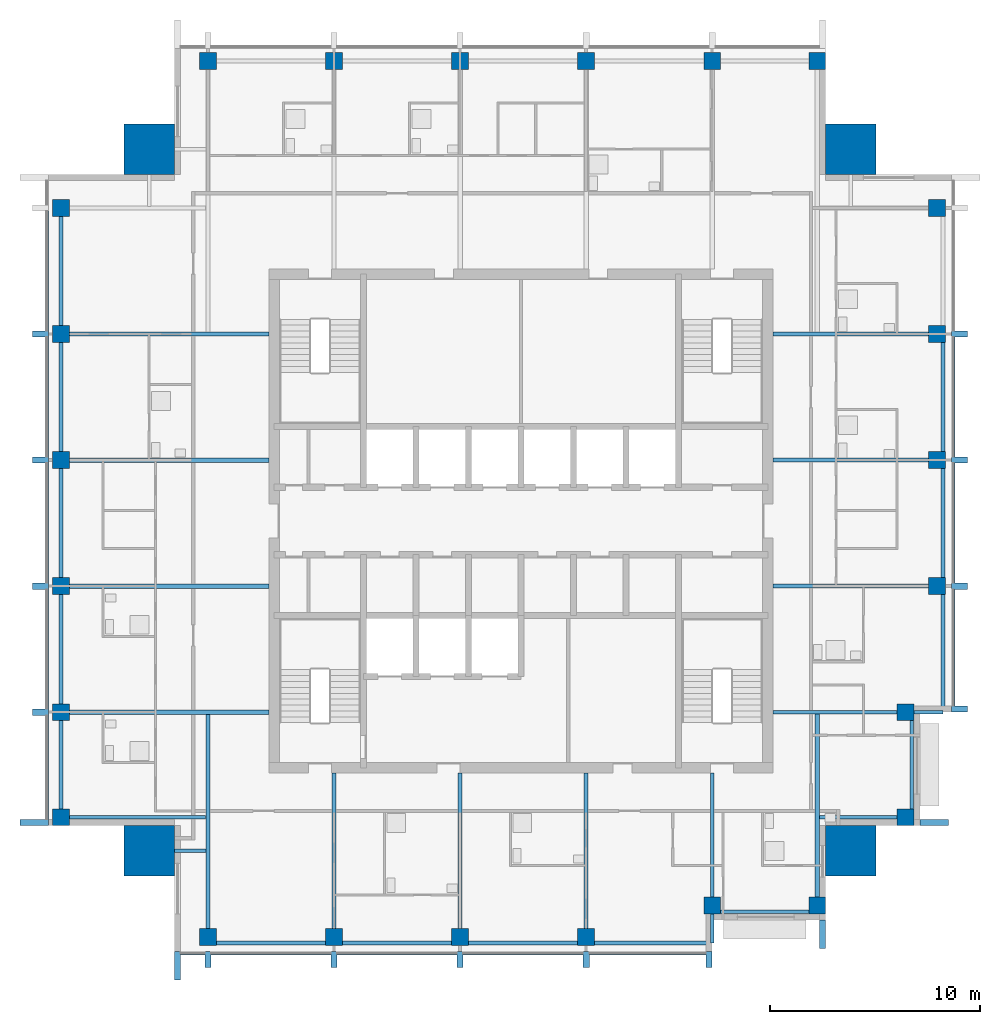
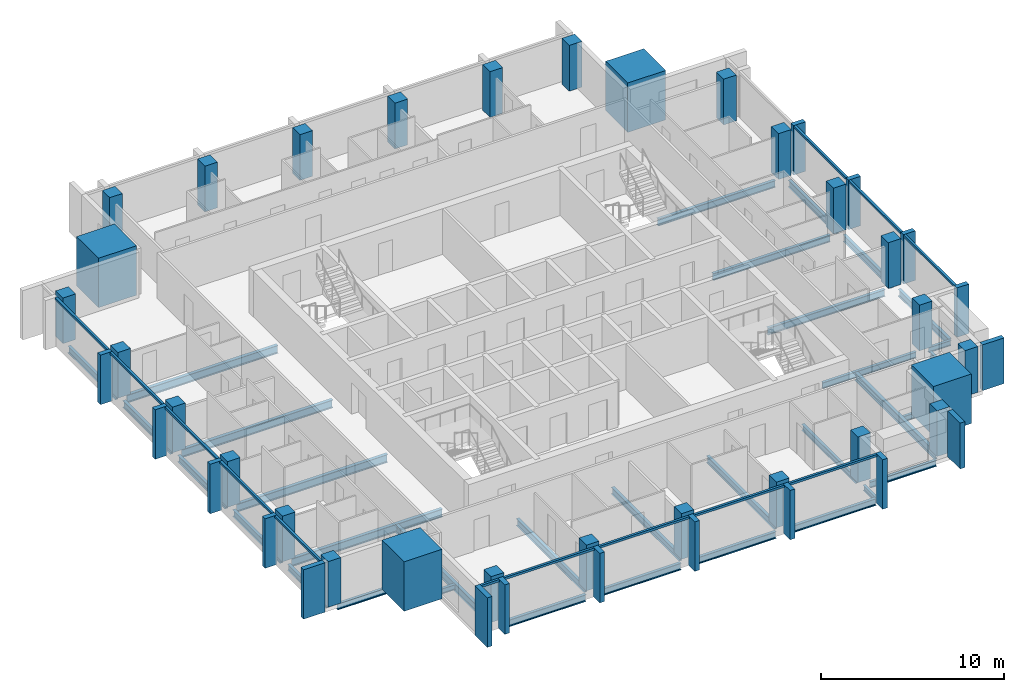
# One storey, part 1 of 10: 33 beams, 30 members, 28 columns, 3 elements without a shape of their own.
"""IFC4 building model written with IfcOpenShell, lengths in metres."""

from ifc_helpers import new_model, si_unit, direction, frame, origin, origin_2d, place, context, subcontext, project, spatial, rectangle, i_section, extrude, material, material_profile, profile_set, type_object, element, aggregate, save


model = new_model("IFC4")

# Units and contexts
model_context = context("Model", 3, precision=1e-05, world=origin(), true_north=direction((0.0, 1.0)))
body_context = subcontext(model_context, "Body", "Model", "MODEL_VIEW")
ifc_project = project(units=[si_unit("LENGTHUNIT", "METRE"), si_unit("AREAUNIT", "SQUARE_METRE"), si_unit("VOLUMEUNIT", "CUBIC_METRE"), si_unit("PLANEANGLEUNIT", "RADIAN"), si_unit("MASSUNIT", "GRAM", prefix="KILO")], contexts=[model_context])

# Site, building, storey
site_placement = place(None, origin())
site = spatial("IfcSite", under=ifc_project, at=site_placement, CompositionType="ELEMENT")
building_placement = place(site_placement, origin())
building = spatial("IfcBuilding", under=site, at=building_placement, Name="Amberfall Residences", CompositionType="ELEMENT")
storey_placement = place(building_placement, frame((0.0, 0.0, 275.199951171875)))
storey = spatial("IfcBuildingStorey", under=building, at=storey_placement, Name="L74", CompositionType="ELEMENT", Elevation=275.199951171875)

# Columns
ifc_material_1 = material(Name="Concrete C50", Category="concrete")
ifc_material_profile_1 = material_profile(ifc_material_1, rectangle(XDim=0.800048828125, YDim=0.800048828125, at=origin_2d()), Name="Column 800 x 800 C50")
ifc_profile_set_1 = profile_set([ifc_material_profile_1], Name="Concrete C50")
column_type_1 = type_object("IfcColumnType", Name="Column 800 x 800 C50", PredefinedType="COLUMN", material=ifc_profile_set_1)
for number, where, z_axis, x_axis, name in (
    (1, (59.60009765625, 25.699951171875, 0.0), (0.0, 0.0, 1.0), (1.0, 0.0, 0.0), "Column C5 L74 S1"),
    (2, (65.60009765625, 25.699951171875, 0.0), (0.0, 0.0, 1.0), (1.0, 0.0, 0.0), "Column C5 L74 S2"),
    (3, (71.60009765625, 25.699951171875, 0.0), (0.0, 0.0, 1.0), (1.0, 0.0, 0.0), "Column C5 L74 S3"),
    (4, (77.60009765625, 25.699951171875, 0.0), (0.0, 0.0, 1.0), (1.0, 0.0, 0.0), "Column C5 L74 S4"),
    (5, (83.60009765625, 27.199951171875, 0.0), (0.0, 0.0, 1.0), (1.0, 0.0, 0.0), "Column C5 L74 S5"),
    (6, (88.60009765625, 27.199951171875, 0.0), (0.0, 0.0, 1.0), (1.0, 0.0, 0.0), "Column C5 L74 S6"),
    (7, (92.800048828125, 31.39990234375, 0.0), (0.0, 0.0, 1.0), (1.0, 0.0, 0.0), "Column C5 L74 E1"),
    (8, (92.800048828125, 36.39990234375, 0.0), (0.0, 0.0, 1.0), (1.0, 0.0, 0.0), "Column C5 L74 E2"),
    (9, (94.300048828125, 42.39990234375, 0.0), (0.0, 0.0, 1.0), (1.0, 0.0, 0.0), "Column C5 L74 E3"),
    (10, (94.300048828125, 48.39990234375, 0.0), (0.0, 0.0, 1.0), (1.0, 0.0, 0.0), "Column C5 L74 E4"),
    (11, (94.300048828125, 54.39990234375, 0.0), (0.0, 0.0, 1.0), (1.0, 0.0, 0.0), "Column C5 L74 E5"),
    (12, (94.300048828125, 60.39990234375, 0.0), (0.0, 0.0, 1.0), (1.0, 0.0, 0.0), "Column C5 L74 E6"),
    (13, (59.60009765625, 67.39990234375, 0.0), (0.0, 0.0, 1.0), (1.0, 0.0, 0.0), "Column C5 L74 N1"),
    (14, (65.60009765625, 67.39990234375, 0.0), (0.0, 0.0, 1.0), (1.0, 0.0, 0.0), "Column C5 L74 N2"),
    (15, (71.60009765625, 67.39990234375, 0.0), (0.0, 0.0, 1.0), (1.0, 0.0, 0.0), "Column C5 L74 N3"),
    (16, (77.60009765625, 67.39990234375, 0.0), (0.0, 0.0, 1.0), (1.0, 0.0, 0.0), "Column C5 L74 N4"),
    (17, (83.60009765625, 67.39990234375, 0.0), (0.0, 0.0, 1.0), (1.0, 0.0, 0.0), "Column C5 L74 N5"),
    (18, (88.60009765625, 67.39990234375, 0.0), (0.0, 0.0, 1.0), (1.0, 0.0, 0.0), "Column C5 L74 N6"),
    (19, (52.60009765625, 31.39990234375, 0.0), (0.0, 0.0, 1.0), (1.0, 0.0, 0.0), "Column C5 L74 W1"),
    (20, (52.60009765625, 36.39990234375, 0.0), (0.0, 0.0, 1.0), (1.0, 0.0, 0.0), "Column C5 L74 W2"),
    (21, (52.60009765625, 42.39990234375, 0.0), (0.0, 0.0, 1.0), (1.0, 0.0, 0.0), "Column C5 L74 W3"),
    (22, (52.60009765625, 48.39990234375, 0.0), (0.0, 0.0, 1.0), (1.0, 0.0, 0.0), "Column C5 L74 W4"),
    (23, (52.60009765625, 54.39990234375, 0.0), (0.0, 0.0, 1.0), (1.0, 0.0, 0.0), "Column C5 L74 W5"),
    (24, (52.60009765625, 60.39990234375, 0.0), (0.0, 0.0, 1.0), (1.0, 0.0, 0.0), "Column C5 L74 W6"),
):
    element("IfcColumn", number, at=place(storey_placement, frame(where, z_axis=z_axis, x_axis=x_axis)), inside=storey, type_object=column_type_1, Name=name, PredefinedType="COLUMN", context=body_context, shape_type="SweptSolid", body=[
        extrude(rectangle(XDim=0.800048828125, YDim=0.800048828125, at=origin_2d()), origin(), (0.0, 0.0, 1.0), 3.050048828125),
    ])
ifc_material_profile_2 = material_profile(ifc_material_1, rectangle(XDim=2.39990234375, YDim=2.39990234375, at=origin_2d()), Name="Mega column 2400 x 2400 C50")
ifc_profile_set_2 = profile_set([ifc_material_profile_2], Name="Concrete C50")
column_type_2 = type_object("IfcColumnType", Name="Mega column 2400 x 2400 C50", PredefinedType="COLUMN", material=ifc_profile_set_2)
for number, where, z_axis, x_axis, name in (
    (25, (56.800048828125, 29.800048828125, 0.0), (0.0, 0.0, 1.0), (1.0, 0.0, 0.0), "Mega column MC11 L74 SW"),
    (26, (90.199951171875, 29.800048828125, 0.0), (0.0, 0.0, 1.0), (1.0, 0.0, 0.0), "Mega column MC11 L74 SE"),
    (27, (90.199951171875, 63.199951171875, 0.0), (0.0, 0.0, 1.0), (1.0, 0.0, 0.0), "Mega column MC11 L74 NE"),
    (28, (56.800048828125, 63.199951171875, 0.0), (0.0, 0.0, 1.0), (1.0, 0.0, 0.0), "Mega column MC11 L74 NW"),
):
    element("IfcColumn", number, at=place(storey_placement, frame(where, z_axis=z_axis, x_axis=x_axis)), inside=storey, type_object=column_type_2, Name=name, PredefinedType="COLUMN", context=body_context, shape_type="SweptSolid", body=[
        extrude(rectangle(XDim=2.39990234375, YDim=2.39990234375, at=origin_2d()), origin(), (0.0, 0.0, 1.0), 3.300048828125),
    ])

# Curtain wall, members
ifc_material_2 = material(Name="Bronze anodised aluminium and glass", Category="aluminium")
curtain_wall_type = type_object("IfcCurtainWallType", Name="Curtain wall CW1 tower unit", PredefinedType="USERDEFINED", material=ifc_material_2)
curtain_wall_1_placement = place(storey_placement, origin())
curtain_wall_1 = element("IfcCurtainWall", 29, at=curtain_wall_1_placement, inside=storey, type_object=curtain_wall_type, Name="Curtain wall L74 S S1", ObjectType="UNITISED CURTAIN WALL", PredefinedType="USERDEFINED")
ifc_material_3 = material(Name="Bronze anodised aluminium", Category="aluminium")
ifc_material_profile_3 = material_profile(ifc_material_3, rectangle(XDim=0.14990234375, YDim=0.14990234375, at=origin_2d()), Name="CW1 transom 150 x 150 bronze")
ifc_profile_set_3 = profile_set([ifc_material_profile_3], Name="Bronze anodised aluminium")
member_type_1 = type_object("IfcMemberType", Name="CW1 transom 150 x 150 bronze", PredefinedType="USERDEFINED", material=ifc_profile_set_3)
member_1_placement = place(storey_placement, frame((58.300048828125, 24.925048828125, 2.97509765625), z_axis=(1.0, 0.0, 0.0), x_axis=(0.0, 1.0, 0.0)))
member_1 = element("IfcMember", 30, at=member_1_placement, type_object=member_type_1, Name="CW1 transom 1.1", ObjectType="TRANSOM", PredefinedType="USERDEFINED", context=body_context, shape_type="SweptSolid", body=[
    extrude(rectangle(XDim=0.14990234375, YDim=0.14990234375, at=origin_2d()), origin(), (0.0, 0.0, 1.0), 1.14990234375),
])
member_2_placement = place(storey_placement, frame((59.75, 24.925048828125, 2.97509765625), z_axis=(1.0, 0.0, 0.0), x_axis=(0.0, 1.0, 0.0)))
member_2 = element("IfcMember", 31, at=member_2_placement, type_object=member_type_1, Name="CW1 transom 2.1", ObjectType="TRANSOM", PredefinedType="USERDEFINED", context=body_context, shape_type="SweptSolid", body=[
    extrude(rectangle(XDim=0.14990234375, YDim=0.14990234375, at=origin_2d()), origin(), (0.0, 0.0, 1.0), 5.699951171875),
])
member_3_placement = place(storey_placement, frame((65.75, 24.925048828125, 2.97509765625), z_axis=(1.0, 0.0, 0.0), x_axis=(0.0, 1.0, 0.0)))
member_3 = element("IfcMember", 32, at=member_3_placement, type_object=member_type_1, Name="CW1 transom 3.1", ObjectType="TRANSOM", PredefinedType="USERDEFINED", context=body_context, shape_type="SweptSolid", body=[
    extrude(rectangle(XDim=0.14990234375, YDim=0.14990234375, at=origin_2d()), origin(), (0.0, 0.0, 1.0), 5.699951171875),
])
member_4_placement = place(storey_placement, frame((71.75, 24.925048828125, 2.97509765625), z_axis=(1.0, 0.0, 0.0), x_axis=(0.0, 1.0, 0.0)))
member_4 = element("IfcMember", 33, at=member_4_placement, type_object=member_type_1, Name="CW1 transom 4.1", ObjectType="TRANSOM", PredefinedType="USERDEFINED", context=body_context, shape_type="SweptSolid", body=[
    extrude(rectangle(XDim=0.14990234375, YDim=0.14990234375, at=origin_2d()), origin(), (0.0, 0.0, 1.0), 5.699951171875),
])
member_5_placement = place(storey_placement, frame((77.75, 24.925048828125, 2.97509765625), z_axis=(1.0, 0.0, 0.0), x_axis=(0.0, 1.0, 0.0)))
member_5 = element("IfcMember", 34, at=member_5_placement, type_object=member_type_1, Name="CW1 transom 5.1", ObjectType="TRANSOM", PredefinedType="USERDEFINED", context=body_context, shape_type="SweptSolid", body=[
    extrude(rectangle(XDim=0.14990234375, YDim=0.14990234375, at=origin_2d()), origin(), (0.0, 0.0, 1.0), 5.550048828125),
])

curtain_wall_2_placement = place(storey_placement, origin())
curtain_wall_2 = element("IfcCurtainWall", 35, at=curtain_wall_2_placement, inside=storey, type_object=curtain_wall_type, Name="Curtain wall L74 E E3", ObjectType="UNITISED CURTAIN WALL", PredefinedType="USERDEFINED")
member_6_placement = place(storey_placement, frame((95.074951171875, 36.699951171875, 2.97509765625), z_axis=(0.0, 1.0, 0.0), x_axis=(-1.0, 0.0, 0.0)))
member_6 = element("IfcMember", 36, at=member_6_placement, type_object=member_type_1, Name="CW1 transom 1.1", ObjectType="TRANSOM", PredefinedType="USERDEFINED", context=body_context, shape_type="SweptSolid", body=[
    extrude(rectangle(XDim=0.14990234375, YDim=0.14990234375, at=origin_2d()), origin(), (0.0, 0.0, 1.0), 5.550048828125),
])
member_7_placement = place(storey_placement, frame((95.074951171875, 42.550048828125, 2.97509765625), z_axis=(0.0, 1.0, 0.0), x_axis=(-1.0, 0.0, 0.0)))
member_7 = element("IfcMember", 37, at=member_7_placement, type_object=member_type_1, Name="CW1 transom 2.1", ObjectType="TRANSOM", PredefinedType="USERDEFINED", context=body_context, shape_type="SweptSolid", body=[
    extrude(rectangle(XDim=0.14990234375, YDim=0.14990234375, at=origin_2d()), origin(), (0.0, 0.0, 1.0), 5.699951171875),
])
member_8_placement = place(storey_placement, frame((95.074951171875, 48.550048828125, 2.97509765625), z_axis=(0.0, 1.0, 0.0), x_axis=(-1.0, 0.0, 0.0)))
member_8 = element("IfcMember", 38, at=member_8_placement, type_object=member_type_1, Name="CW1 transom 3.1", ObjectType="TRANSOM", PredefinedType="USERDEFINED", context=body_context, shape_type="SweptSolid", body=[
    extrude(rectangle(XDim=0.14990234375, YDim=0.14990234375, at=origin_2d()), origin(), (0.0, 0.0, 1.0), 5.699951171875),
])

curtain_wall_3_placement = place(storey_placement, origin())
curtain_wall_3 = element("IfcCurtainWall", 39, at=curtain_wall_3_placement, inside=storey, type_object=curtain_wall_type, Name="Curtain wall L74 W W1", ObjectType="UNITISED CURTAIN WALL", PredefinedType="USERDEFINED")
member_9_placement = place(storey_placement, frame((51.925048828125, 60.25, 2.97509765625), z_axis=(0.0, -1.0, 0.0), x_axis=(1.0, 0.0, 0.0)))
member_9 = element("IfcMember", 40, at=member_9_placement, type_object=member_type_1, Name="CW1 transom 2.1", ObjectType="TRANSOM", PredefinedType="USERDEFINED", context=body_context, shape_type="SweptSolid", body=[
    extrude(rectangle(XDim=0.14990234375, YDim=0.14990234375, at=origin_2d()), origin(), (0.0, 0.0, 1.0), 5.699951171875),
])
member_10_placement = place(storey_placement, frame((51.925048828125, 54.25, 2.97509765625), z_axis=(0.0, -1.0, 0.0), x_axis=(1.0, 0.0, 0.0)))
member_10 = element("IfcMember", 41, at=member_10_placement, type_object=member_type_1, Name="CW1 transom 3.1", ObjectType="TRANSOM", PredefinedType="USERDEFINED", context=body_context, shape_type="SweptSolid", body=[
    extrude(rectangle(XDim=0.14990234375, YDim=0.14990234375, at=origin_2d()), origin(), (0.0, 0.0, 1.0), 5.699951171875),
])
member_11_placement = place(storey_placement, frame((51.925048828125, 48.25, 2.97509765625), z_axis=(0.0, -1.0, 0.0), x_axis=(1.0, 0.0, 0.0)))
member_11 = element("IfcMember", 42, at=member_11_placement, type_object=member_type_1, Name="CW1 transom 4.1", ObjectType="TRANSOM", PredefinedType="USERDEFINED", context=body_context, shape_type="SweptSolid", body=[
    extrude(rectangle(XDim=0.14990234375, YDim=0.14990234375, at=origin_2d()), origin(), (0.0, 0.0, 1.0), 5.699951171875),
])
member_12_placement = place(storey_placement, frame((51.925048828125, 42.25, 2.97509765625), z_axis=(0.0, -1.0, 0.0), x_axis=(1.0, 0.0, 0.0)))
member_12 = element("IfcMember", 43, at=member_12_placement, type_object=member_type_1, Name="CW1 transom 5.1", ObjectType="TRANSOM", PredefinedType="USERDEFINED", context=body_context, shape_type="SweptSolid", body=[
    extrude(rectangle(XDim=0.14990234375, YDim=0.14990234375, at=origin_2d()), origin(), (0.0, 0.0, 1.0), 5.699951171875),
])
member_13_placement = place(storey_placement, frame((51.925048828125, 36.25, 2.97509765625), z_axis=(0.0, -1.0, 0.0), x_axis=(1.0, 0.0, 0.0)))
member_13 = element("IfcMember", 44, at=member_13_placement, type_object=member_type_1, Name="CW1 transom 6.1", ObjectType="TRANSOM", PredefinedType="USERDEFINED", context=body_context, shape_type="SweptSolid", body=[
    extrude(rectangle(XDim=0.14990234375, YDim=0.14990234375, at=origin_2d()), origin(), (0.0, 0.0, 1.0), 4.949951171875),
])

# Beams
ifc_material_4 = material(Name="Steel S355", Category="steel")
ifc_material_profile_4 = material_profile(ifc_material_4, i_section(OverallWidth=0.171142578125, OverallDepth=0.351318359375, WebThickness=0.007080078125, FlangeThickness=0.009765625, FilletRadius=0.01025390625, at=origin_2d()), Name="UB 356x171x45")
ifc_profile_set_4 = profile_set([ifc_material_profile_4], Name="Steel S355")
beam_type_1 = type_object("IfcBeamType", Name="Cantilever girder UB 356x171x45", PredefinedType="BEAM", material=ifc_profile_set_4)
for number, where, z_axis, x_axis, name in (
    (45, (83.60009765625, 26.800048828125, -0.425537109375), (0.0, -1.0, 0.0), (1.0, 0.0, 0.0), "Cantilever girder B8 L74 06"),
    (46, (93.199951171875, 36.39990234375, -0.425537109375), (1.0, 0.0, 0.0), (0.0, 1.0, 0.0), "Cantilever girder B8 L74 18"),
):
    element("IfcBeam", number, at=place(storey_placement, frame(where, z_axis=z_axis, x_axis=x_axis)), inside=storey, type_object=beam_type_1, Name=name, PredefinedType="BEAM", context=body_context, shape_type="SweptSolid", body=[
        extrude(i_section(OverallWidth=0.171142578125, OverallDepth=0.351318359375, WebThickness=0.007080078125, FlangeThickness=0.009765625, FilletRadius=0.01025390625, at=origin_2d()), origin(), (0.0, 0.0, 1.0), 1.400146484375),
    ])

# Member
ifc_material_profile_5 = material_profile(ifc_material_3, rectangle(XDim=1.35009765625, YDim=0.300048828125, at=origin_2d()), Name="Corner fin 300 x 1350 bronze")
ifc_profile_set_5 = profile_set([ifc_material_profile_5], Name="Bronze anodised aluminium")
member_type_2 = type_object("IfcMemberType", Name="Corner fin 300 x 1350 bronze", PredefinedType="MULLION", material=ifc_profile_set_5)
member_14_placement = place(storey_placement, frame((58.14990234375, 24.324951171875, -0.25), z_axis=(0.0, 0.0, 1.0), x_axis=(0.0, 1.0, 0.0)))
member_14 = element("IfcMember", 47, at=member_14_placement, type_object=member_type_2, Name="CW FIN 1", PredefinedType="MULLION", context=body_context, shape_type="SweptSolid", body=[
    extrude(rectangle(XDim=1.35009765625, YDim=0.300048828125, at=origin_2d()), origin(), (0.0, 0.0, 1.0), 3.300048828125),
])

member_15_placement = place(storey_placement, frame((51.324951171875, 31.14990234375, -0.25), z_axis=(0.0, 0.0, 1.0), x_axis=(1.0, 0.0, 0.0)))
member_15 = element("IfcMember", 48, at=member_15_placement, type_object=member_type_2, Name="CW FIN 7", PredefinedType="MULLION", context=body_context, shape_type="SweptSolid", body=[
    extrude(rectangle(XDim=1.35009765625, YDim=0.300048828125, at=origin_2d()), origin(), (0.0, 0.0, 1.0), 3.300048828125),
])

# Beams
ifc_material_profile_6 = material_profile(ifc_material_4, i_section(OverallWidth=0.177734375, OverallDepth=0.402587890625, WebThickness=0.0078125, FlangeThickness=0.010986328125, FilletRadius=0.01025390625, at=origin_2d()), Name="UB 406x178x54")
ifc_profile_set_6 = profile_set([ifc_material_profile_6], Name="Steel S355")
beam_type_2 = type_object("IfcBeamType", Name="Edge beam UB 406x178x54", PredefinedType="SPANDREL", material=ifc_profile_set_6)
for number, where, z_axis, x_axis, name in (
    (49, (84.0, 26.89990234375, -0.451171875), (1.0, 0.0, 0.0), (0.0, 1.0, 0.0), "Edge beam B14 L74 05"),
    (50, (93.10009765625, 31.800048828125, -0.451171875), (0.0, 1.0, 0.0), (-1.0, 0.0, 0.0), "Edge beam B14 L74 13"),
    (51, (52.60009765625, 31.800048828125, -0.451171875), (0.0, 1.0, 0.0), (-1.0, 0.0, 0.0), "Edge beam B14 L74 36"),
):
    element("IfcBeam", number, at=place(storey_placement, frame(where, z_axis=z_axis, x_axis=x_axis)), inside=storey, type_object=beam_type_2, Name=name, PredefinedType="SPANDREL", context=body_context, shape_type="SweptSolid", body=[
        extrude(i_section(OverallWidth=0.177734375, OverallDepth=0.402587890625, WebThickness=0.0078125, FlangeThickness=0.010986328125, FilletRadius=0.01025390625, at=origin_2d()), origin(), (0.0, 0.0, 1.0), 4.199951171875),
    ])
ifc_material_profile_7 = material_profile(ifc_material_4, i_section(OverallWidth=0.18994140625, OverallDepth=0.453369140625, WebThickness=0.008544921875, FlangeThickness=0.0126953125, FilletRadius=0.01025390625, at=origin_2d()), Name="UB 457x191x67")
ifc_profile_set_7 = profile_set([ifc_material_profile_7], Name="Steel S355")
beam_type_3 = type_object("IfcBeamType", Name="Edge beam UB 457x191x67", PredefinedType="SPANDREL", material=ifc_profile_set_7)
for number, where, z_axis, x_axis, name in (
    (52, (60.0, 25.39990234375, -0.4765625), (1.0, 0.0, 0.0), (0.0, 1.0, 0.0), "Edge beam B1 L74 01"),
    (53, (66.0, 25.39990234375, -0.4765625), (1.0, 0.0, 0.0), (0.0, 1.0, 0.0), "Edge beam B1 L74 02"),
    (54, (72.0, 25.39990234375, -0.4765625), (1.0, 0.0, 0.0), (0.0, 1.0, 0.0), "Edge beam B1 L74 03"),
):
    element("IfcBeam", number, at=place(storey_placement, frame(where, z_axis=z_axis, x_axis=x_axis)), inside=storey, type_object=beam_type_3, Name=name, PredefinedType="SPANDREL", context=body_context, shape_type="SweptSolid", body=[
        extrude(i_section(OverallWidth=0.18994140625, OverallDepth=0.453369140625, WebThickness=0.008544921875, FlangeThickness=0.0126953125, FilletRadius=0.01025390625, at=origin_2d()), origin(), (0.0, 0.0, 1.0), 5.199951171875),
    ])
for number, where, z_axis, x_axis, name in (
    (55, (78.0, 25.39990234375, -0.4765625), (1.0, 0.0, 0.0), (0.0, 1.0, 0.0), "Edge beam B1 L74 04"),
    (56, (94.60009765625, 36.47998046875, -0.4765625), (0.0, 1.0, 0.0), (-1.0, 0.0, 0.0), "Edge beam B1 L74 14"),
):
    element("IfcBeam", number, at=place(storey_placement, frame(where, z_axis=z_axis, x_axis=x_axis)), inside=storey, type_object=beam_type_3, Name=name, PredefinedType="SPANDREL", context=body_context, shape_type="SweptSolid", body=[
        extrude(i_section(OverallWidth=0.18994140625, OverallDepth=0.453369140625, WebThickness=0.008544921875, FlangeThickness=0.0126953125, FilletRadius=0.01025390625, at=origin_2d()), origin(), (0.0, 0.0, 1.0), 5.52001953125),
    ])
for number, where, z_axis, x_axis, name in (
    (57, (94.60009765625, 42.800048828125, -0.4765625), (0.0, 1.0, 0.0), (-1.0, 0.0, 0.0), "Edge beam B1 L74 15"),
    (58, (94.60009765625, 48.800048828125, -0.4765625), (0.0, 1.0, 0.0), (-1.0, 0.0, 0.0), "Edge beam B1 L74 16"),
    (59, (52.60009765625, 36.800048828125, -0.4765625), (0.0, 1.0, 0.0), (-1.0, 0.0, 0.0), "Edge beam B1 L74 37"),
    (60, (52.60009765625, 42.800048828125, -0.4765625), (0.0, 1.0, 0.0), (-1.0, 0.0, 0.0), "Edge beam B1 L74 38"),
    (61, (52.60009765625, 48.800048828125, -0.4765625), (0.0, 1.0, 0.0), (-1.0, 0.0, 0.0), "Edge beam B1 L74 39"),
    (62, (52.60009765625, 54.800048828125, -0.4765625), (0.0, 1.0, 0.0), (-1.0, 0.0, 0.0), "Edge beam B1 L74 40"),
):
    element("IfcBeam", number, at=place(storey_placement, frame(where, z_axis=z_axis, x_axis=x_axis)), inside=storey, type_object=beam_type_3, Name=name, PredefinedType="SPANDREL", context=body_context, shape_type="SweptSolid", body=[
        extrude(i_section(OverallWidth=0.18994140625, OverallDepth=0.453369140625, WebThickness=0.008544921875, FlangeThickness=0.0126953125, FilletRadius=0.01025390625, at=origin_2d()), origin(), (0.0, 0.0, 1.0), 5.199951171875),
    ])

# Member
ifc_material_profile_8 = material_profile(ifc_material_3, rectangle(XDim=0.75, YDim=0.300048828125, at=origin_2d()), Name="Fin 300 x 750 bronze")
ifc_profile_set_8 = profile_set([ifc_material_profile_8], Name="Bronze anodised aluminium")
member_type_3 = type_object("IfcMemberType", Name="Fin 300 x 750 bronze", PredefinedType="MULLION", material=ifc_profile_set_8)
member_16_placement = place(storey_placement, frame((59.60009765625, 24.625, -0.25), z_axis=(0.0, 0.0, 1.0), x_axis=(0.0, 1.0, 0.0)))
member_16 = element("IfcMember", 63, at=member_16_placement, type_object=member_type_3, Name="CW FIN 2", PredefinedType="MULLION", context=body_context, shape_type="SweptSolid", body=[
    extrude(rectangle(XDim=0.75, YDim=0.300048828125, at=origin_2d()), origin(), (0.0, 0.0, 1.0), 3.300048828125),
])

member_17_placement = place(storey_placement, frame((65.60009765625, 24.625, -0.25), z_axis=(0.0, 0.0, 1.0), x_axis=(0.0, 1.0, 0.0)))
member_17 = element("IfcMember", 64, at=member_17_placement, type_object=member_type_3, Name="CW FIN 3", PredefinedType="MULLION", context=body_context, shape_type="SweptSolid", body=[
    extrude(rectangle(XDim=0.75, YDim=0.300048828125, at=origin_2d()), origin(), (0.0, 0.0, 1.0), 3.300048828125),
])

member_18_placement = place(storey_placement, frame((71.60009765625, 24.625, -0.25), z_axis=(0.0, 0.0, 1.0), x_axis=(0.0, 1.0, 0.0)))
member_18 = element("IfcMember", 65, at=member_18_placement, type_object=member_type_3, Name="CW FIN 4", PredefinedType="MULLION", context=body_context, shape_type="SweptSolid", body=[
    extrude(rectangle(XDim=0.75, YDim=0.300048828125, at=origin_2d()), origin(), (0.0, 0.0, 1.0), 3.300048828125),
])

member_19_placement = place(storey_placement, frame((77.60009765625, 24.625, -0.25), z_axis=(0.0, 0.0, 1.0), x_axis=(0.0, 1.0, 0.0)))
member_19 = element("IfcMember", 66, at=member_19_placement, type_object=member_type_3, Name="CW FIN 5", PredefinedType="MULLION", context=body_context, shape_type="SweptSolid", body=[
    extrude(rectangle(XDim=0.75, YDim=0.300048828125, at=origin_2d()), origin(), (0.0, 0.0, 1.0), 3.300048828125),
])

member_20_placement = place(storey_placement, frame((83.449951171875, 24.625, -0.25), z_axis=(0.0, 0.0, 1.0), x_axis=(0.0, 1.0, 0.0)))
member_20 = element("IfcMember", 67, at=member_20_placement, type_object=member_type_3, Name="CW FIN 6", PredefinedType="MULLION", context=body_context, shape_type="SweptSolid", body=[
    extrude(rectangle(XDim=0.75, YDim=0.300048828125, at=origin_2d()), origin(), (0.0, 0.0, 1.0), 3.300048828125),
])

aggregate(curtain_wall_1, [member_14, member_16, member_17, member_18, member_19, member_20, member_1, member_2, member_3, member_4, member_5])

member_21_placement = place(storey_placement, frame((95.375, 36.550048828125, -0.25), z_axis=(0.0, 0.0, 1.0), x_axis=(-1.0, 0.0, 0.0)))
member_21 = element("IfcMember", 68, at=member_21_placement, type_object=member_type_3, Name="CW FIN 1", PredefinedType="MULLION", context=body_context, shape_type="SweptSolid", body=[
    extrude(rectangle(XDim=0.75, YDim=0.300048828125, at=origin_2d()), origin(), (0.0, 0.0, 1.0), 3.300048828125),
])

member_22_placement = place(storey_placement, frame((95.375, 42.39990234375, -0.25), z_axis=(0.0, 0.0, 1.0), x_axis=(-1.0, 0.0, 0.0)))
member_22 = element("IfcMember", 69, at=member_22_placement, type_object=member_type_3, Name="CW FIN 2", PredefinedType="MULLION", context=body_context, shape_type="SweptSolid", body=[
    extrude(rectangle(XDim=0.75, YDim=0.300048828125, at=origin_2d()), origin(), (0.0, 0.0, 1.0), 3.300048828125),
])

member_23_placement = place(storey_placement, frame((95.375, 48.39990234375, -0.25), z_axis=(0.0, 0.0, 1.0), x_axis=(-1.0, 0.0, 0.0)))
member_23 = element("IfcMember", 70, at=member_23_placement, type_object=member_type_3, Name="CW FIN 3", PredefinedType="MULLION", context=body_context, shape_type="SweptSolid", body=[
    extrude(rectangle(XDim=0.75, YDim=0.300048828125, at=origin_2d()), origin(), (0.0, 0.0, 1.0), 3.300048828125),
])

member_24_placement = place(storey_placement, frame((95.375, 54.39990234375, -0.25), z_axis=(0.0, 0.0, 1.0), x_axis=(-1.0, 0.0, 0.0)))
member_24 = element("IfcMember", 71, at=member_24_placement, type_object=member_type_3, Name="CW FIN 4", PredefinedType="MULLION", context=body_context, shape_type="SweptSolid", body=[
    extrude(rectangle(XDim=0.75, YDim=0.300048828125, at=origin_2d()), origin(), (0.0, 0.0, 1.0), 3.300048828125),
])

aggregate(curtain_wall_2, [member_21, member_22, member_23, member_24, member_6, member_7, member_8])

member_25_placement = place(storey_placement, frame((51.625, 54.39990234375, -0.25), z_axis=(0.0, 0.0, 1.0), x_axis=(1.0, 0.0, 0.0)))
member_25 = element("IfcMember", 72, at=member_25_placement, type_object=member_type_3, Name="CW FIN 3", PredefinedType="MULLION", context=body_context, shape_type="SweptSolid", body=[
    extrude(rectangle(XDim=0.75, YDim=0.300048828125, at=origin_2d()), origin(), (0.0, 0.0, 1.0), 3.300048828125),
])

member_26_placement = place(storey_placement, frame((51.625, 48.39990234375, -0.25), z_axis=(0.0, 0.0, 1.0), x_axis=(1.0, 0.0, 0.0)))
member_26 = element("IfcMember", 73, at=member_26_placement, type_object=member_type_3, Name="CW FIN 4", PredefinedType="MULLION", context=body_context, shape_type="SweptSolid", body=[
    extrude(rectangle(XDim=0.75, YDim=0.300048828125, at=origin_2d()), origin(), (0.0, 0.0, 1.0), 3.300048828125),
])

member_27_placement = place(storey_placement, frame((51.625, 42.39990234375, -0.25), z_axis=(0.0, 0.0, 1.0), x_axis=(1.0, 0.0, 0.0)))
member_27 = element("IfcMember", 74, at=member_27_placement, type_object=member_type_3, Name="CW FIN 5", PredefinedType="MULLION", context=body_context, shape_type="SweptSolid", body=[
    extrude(rectangle(XDim=0.75, YDim=0.300048828125, at=origin_2d()), origin(), (0.0, 0.0, 1.0), 3.300048828125),
])

member_28_placement = place(storey_placement, frame((51.625, 36.39990234375, -0.25), z_axis=(0.0, 0.0, 1.0), x_axis=(1.0, 0.0, 0.0)))
member_28 = element("IfcMember", 75, at=member_28_placement, type_object=member_type_3, Name="CW FIN 6", PredefinedType="MULLION", context=body_context, shape_type="SweptSolid", body=[
    extrude(rectangle(XDim=0.75, YDim=0.300048828125, at=origin_2d()), origin(), (0.0, 0.0, 1.0), 3.300048828125),
])

aggregate(curtain_wall_3, [member_25, member_26, member_27, member_28, member_15, member_9, member_10, member_11, member_12, member_13])

# Beams
ifc_material_profile_9 = material_profile(ifc_material_4, i_section(OverallWidth=0.171142578125, OverallDepth=0.351318359375, WebThickness=0.007080078125, FlangeThickness=0.009765625, FilletRadius=0.01025390625, at=origin_2d()), Name="UB 356x171x45")
ifc_profile_set_9 = profile_set([ifc_material_profile_9], Name="Steel S355")
beam_type_4 = type_object("IfcBeamType", Name="Floor girder UB 356x171x45", PredefinedType="BEAM", material=ifc_profile_set_9)
beam_1_placement = place(storey_placement, frame((92.39990234375, 31.39990234375, -0.425537109375), z_axis=(-1.0, 0.0, 0.0), x_axis=(0.0, -1.0, 0.0)))
element("IfcBeam", 76, at=beam_1_placement, inside=storey, type_object=beam_type_4, Name="Floor girder B11 L74 19", PredefinedType="BEAM", context=body_context, shape_type="SweptSolid", body=[
    extrude(i_section(OverallWidth=0.171142578125, OverallDepth=0.351318359375, WebThickness=0.007080078125, FlangeThickness=0.009765625, FilletRadius=0.01025390625, at=origin_2d()), origin(), (0.0, 0.0, 1.0), 3.679931640625),
])
ifc_material_profile_10 = material_profile(ifc_material_4, i_section(OverallWidth=0.177734375, OverallDepth=0.402587890625, WebThickness=0.0078125, FlangeThickness=0.010986328125, FilletRadius=0.01025390625, at=origin_2d()), Name="UB 406x178x54")
ifc_profile_set_10 = profile_set([ifc_material_profile_10], Name="Steel S355")
beam_type_5 = type_object("IfcBeamType", Name="Floor girder UB 406x178x54", PredefinedType="BEAM", material=ifc_profile_set_10)
for number, where, z_axis, x_axis, name in (
    (77, (83.60009765625, 27.60009765625, -0.451171875), (0.0, 1.0, 0.0), (-1.0, 0.0, 0.0), "Floor girder B4 L74 11"),
    (78, (92.39990234375, 36.39990234375, -0.451171875), (-1.0, 0.0, 0.0), (0.0, -1.0, 0.0), "Floor girder B4 L74 20"),
):
    element("IfcBeam", number, at=place(storey_placement, frame(where, z_axis=z_axis, x_axis=x_axis)), inside=storey, type_object=beam_type_5, Name=name, PredefinedType="BEAM", context=body_context, shape_type="SweptSolid", body=[
        extrude(i_section(OverallWidth=0.177734375, OverallDepth=0.402587890625, WebThickness=0.0078125, FlangeThickness=0.010986328125, FilletRadius=0.01025390625, at=origin_2d()), origin(), (0.0, 0.0, 1.0), 5.89990234375),
    ])
beam_2_placement = place(storey_placement, frame((53.0, 31.39990234375, -0.451171875), z_axis=(1.0, 0.0, 0.0), x_axis=(0.0, 1.0, 0.0)))
element("IfcBeam", 79, at=beam_2_placement, inside=storey, type_object=beam_type_5, Name="Floor girder B4 L74 41", PredefinedType="BEAM", context=body_context, shape_type="SweptSolid", body=[
    extrude(i_section(OverallWidth=0.177734375, OverallDepth=0.402587890625, WebThickness=0.0078125, FlangeThickness=0.010986328125, FilletRadius=0.01025390625, at=origin_2d()), origin(), (0.0, 0.0, 1.0), 6.47998046875),
])
ifc_material_profile_11 = material_profile(ifc_material_4, i_section(OverallWidth=0.19140625, OverallDepth=0.4599609375, WebThickness=0.010009765625, FlangeThickness=0.01611328125, FilletRadius=0.01025390625, at=origin_2d()), Name="UB 457x191x82")
ifc_profile_set_11 = profile_set([ifc_material_profile_11], Name="Steel S355")
beam_type_6 = type_object("IfcBeamType", Name="Floor girder UB 457x191x82", PredefinedType="BEAM", material=ifc_profile_set_11)
for number, where, z_axis, x_axis, name in (
    (80, (65.60009765625, 26.10009765625, -0.47998046875), (0.0, 1.0, 0.0), (-1.0, 0.0, 0.0), "Floor girder B10 L74 08"),
    (81, (71.60009765625, 26.10009765625, -0.47998046875), (0.0, 1.0, 0.0), (-1.0, 0.0, 0.0), "Floor girder B10 L74 09"),
    (82, (77.60009765625, 26.10009765625, -0.47998046875), (0.0, 1.0, 0.0), (-1.0, 0.0, 0.0), "Floor girder B10 L74 10"),
    (83, (93.89990234375, 42.39990234375, -0.47998046875), (-1.0, 0.0, 0.0), (0.0, -1.0, 0.0), "Floor girder B10 L74 21"),
    (84, (93.89990234375, 48.39990234375, -0.47998046875), (-1.0, 0.0, 0.0), (0.0, -1.0, 0.0), "Floor girder B10 L74 22"),
    (85, (93.89990234375, 54.39990234375, -0.47998046875), (-1.0, 0.0, 0.0), (0.0, -1.0, 0.0), "Floor girder B10 L74 23"),
):
    element("IfcBeam", number, at=place(storey_placement, frame(where, z_axis=z_axis, x_axis=x_axis)), inside=storey, type_object=beam_type_6, Name=name, PredefinedType="BEAM", context=body_context, shape_type="SweptSolid", body=[
        extrude(i_section(OverallWidth=0.19140625, OverallDepth=0.4599609375, WebThickness=0.010009765625, FlangeThickness=0.01611328125, FilletRadius=0.01025390625, at=origin_2d()), origin(), (0.0, 0.0, 1.0), 7.39990234375),
    ])
ifc_material_profile_12 = material_profile(ifc_material_4, i_section(OverallWidth=0.209228515625, OverallDepth=0.533203125, WebThickness=0.010009765625, FlangeThickness=0.015625, FilletRadius=0.0126953125, at=origin_2d()), Name="UB 533x210x92")
ifc_profile_set_12 = profile_set([ifc_material_profile_12], Name="Steel S355")
beam_type_7 = type_object("IfcBeamType", Name="Floor girder UB 533x210x92", PredefinedType="BEAM", material=ifc_profile_set_12)
beam_3_placement = place(storey_placement, frame((59.60009765625, 26.10009765625, -0.5166015625), z_axis=(0.0, 1.0, 0.0), x_axis=(-1.0, 0.0, 0.0)))
element("IfcBeam", 86, at=beam_3_placement, inside=storey, type_object=beam_type_7, Name="Floor girder B3 L74 07", PredefinedType="BEAM", context=body_context, shape_type="SweptSolid", body=[
    extrude(i_section(OverallWidth=0.209228515625, OverallDepth=0.533203125, WebThickness=0.010009765625, FlangeThickness=0.015625, FilletRadius=0.0126953125, at=origin_2d()), origin(), (0.0, 0.0, 1.0), 10.2001953125),
])
beam_4_placement = place(storey_placement, frame((88.60009765625, 27.60009765625, -0.5166015625), z_axis=(0.0, 1.0, 0.0), x_axis=(-1.0, 0.0, 0.0)))
element("IfcBeam", 87, at=beam_4_placement, inside=storey, type_object=beam_type_7, Name="Floor girder B3 L74 12", PredefinedType="BEAM", context=body_context, shape_type="SweptSolid", body=[
    extrude(i_section(OverallWidth=0.209228515625, OverallDepth=0.533203125, WebThickness=0.010009765625, FlangeThickness=0.015625, FilletRadius=0.0126953125, at=origin_2d()), origin(), (0.0, 0.0, 1.0), 8.716064453125),
])
for number, where, z_axis, x_axis, name in (
    (88, (53.0, 36.39990234375, -0.5166015625), (1.0, 0.0, 0.0), (0.0, 1.0, 0.0), "Floor girder B3 L74 42"),
    (89, (53.0, 42.39990234375, -0.5166015625), (1.0, 0.0, 0.0), (0.0, 1.0, 0.0), "Floor girder B3 L74 43"),
    (90, (53.0, 48.39990234375, -0.5166015625), (1.0, 0.0, 0.0), (0.0, 1.0, 0.0), "Floor girder B3 L74 44"),
    (91, (53.0, 54.39990234375, -0.5166015625), (1.0, 0.0, 0.0), (0.0, 1.0, 0.0), "Floor girder B3 L74 45"),
):
    element("IfcBeam", number, at=place(storey_placement, frame(where, z_axis=z_axis, x_axis=x_axis)), inside=storey, type_object=beam_type_7, Name=name, PredefinedType="BEAM", context=body_context, shape_type="SweptSolid", body=[
        extrude(i_section(OverallWidth=0.209228515625, OverallDepth=0.533203125, WebThickness=0.010009765625, FlangeThickness=0.015625, FilletRadius=0.0126953125, at=origin_2d()), origin(), (0.0, 0.0, 1.0), 9.5),
    ])
ifc_material_profile_13 = material_profile(ifc_material_4, i_section(OverallWidth=0.171142578125, OverallDepth=0.351318359375, WebThickness=0.007080078125, FlangeThickness=0.009765625, FilletRadius=0.01025390625, at=origin_2d()), Name="UB 356x171x45")
ifc_profile_set_13 = profile_set([ifc_material_profile_13], Name="Steel S355")
beam_type_8 = type_object("IfcBeamType", Name="Link beam UB 356x171x45", PredefinedType="BEAM", material=ifc_profile_set_13)
beam_5_placement = place(storey_placement, frame((58.0, 29.800048828125, -0.425537109375), z_axis=(1.0, 0.0, 0.0), x_axis=(0.0, 1.0, 0.0)))
element("IfcBeam", 92, at=beam_5_placement, inside=storey, type_object=beam_type_8, Name="Link beam B7 L74 47", PredefinedType="BEAM", context=body_context, shape_type="SweptSolid", body=[
    extrude(i_section(OverallWidth=0.171142578125, OverallDepth=0.351318359375, WebThickness=0.007080078125, FlangeThickness=0.009765625, FilletRadius=0.01025390625, at=origin_2d()), origin(), (0.0, 0.0, 1.0), 1.50537109375),
])

# Members
ifc_material_profile_14 = material_profile(ifc_material_3, rectangle(XDim=1.35009765625, YDim=0.300048828125, at=origin_2d()), Name="Stone corner fin 300 x 1350 bronze")
ifc_profile_set_14 = profile_set([ifc_material_profile_14], Name="Bronze anodised aluminium")
member_type_4 = type_object("IfcMemberType", Name="Stone corner fin 300 x 1350 bronze", PredefinedType="MEMBER", material=ifc_profile_set_14)
for number, where, z_axis, x_axis, name in (
    (93, (88.85009765625, 25.824951171875, 0.0), (0.0, 0.0, 1.0), (0.0, 1.0, 0.0), "Corner fin S"),
    (94, (94.175048828125, 31.14990234375, 0.0), (0.0, 0.0, 1.0), (-1.0, 0.0, 0.0), "Corner fin E"),
):
    element("IfcMember", number, at=place(storey_placement, frame(where, z_axis=z_axis, x_axis=x_axis)), inside=storey, type_object=member_type_4, Name=name, PredefinedType="MEMBER", context=body_context, shape_type="SweptSolid", body=[
        extrude(rectangle(XDim=1.35009765625, YDim=0.300048828125, at=origin_2d()), origin(), (0.0, 0.0, 1.0), 3.050048828125),
    ])

save(model, "model.ifc")
